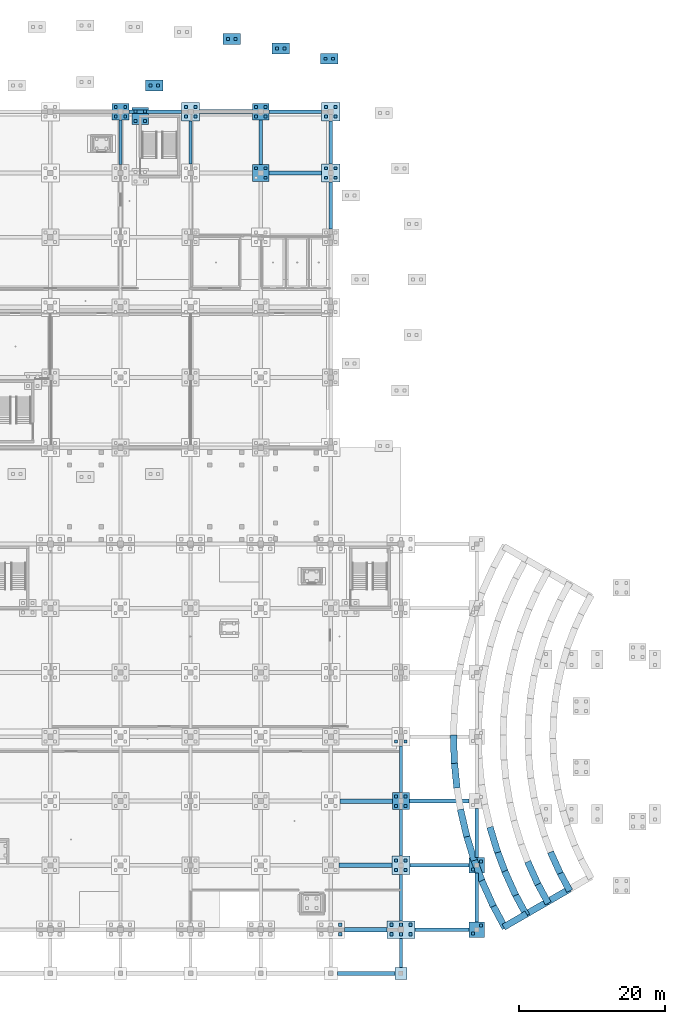
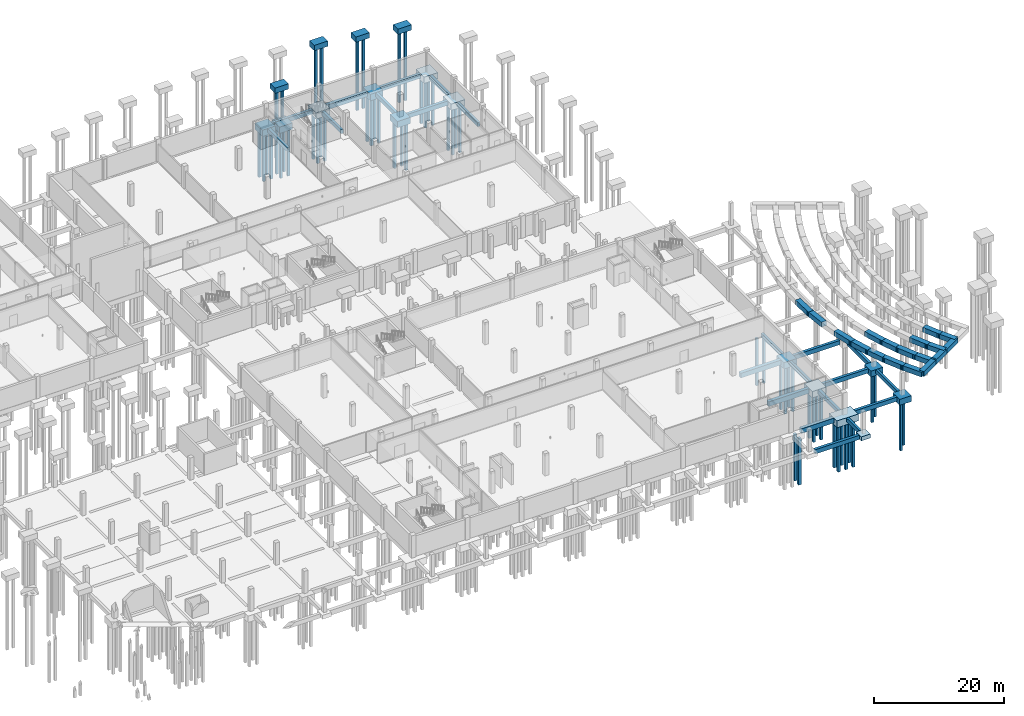
# One storey, part 8 of 31: 57 footings, 57 piles.
"""IFC4 building model written with IfcOpenShell, lengths in metres."""

import ifcopenshell
import ifcopenshell.guid

model = None  # the IFC model being written
_history = None  # IfcOwnerHistory: only IFC2X3 demands one
_inside = {}  # id of a spatial element -> (the spatial element, [elements in it])
_under = {}  # id of a project, library or spatial element -> (it, [spatial elements below it])
_declared = {}  # id of a project -> (the project, [libraries it declares])
_typed = {}  # id of a type object -> (the type object, [elements of that type])
_made_of = {}  # id of a material, layer set ... -> (it, [elements and type objects made of it])


def new_model(schema):
    """Start an empty IFC model of exactly this schema.

    Asked for "IFC4X3", IfcOpenShell would pick the latest addendum, in which some entities
    have other attributes; the version numbers below select the first issue.
    IFC2X3 requires an IfcOwnerHistory on every rooted entity: one is made here for all.
    """
    global model, _history
    if schema == "IFC4X3":
        model = ifcopenshell.file(schema_version=(4, 3, 0, 0))
    else:
        model = ifcopenshell.file(schema=schema)
    _inside.clear()
    _under.clear()
    _declared.clear()
    _typed.clear()
    _made_of.clear()
    _history = None
    if model.schema == "IFC2X3":
        org = make("IfcOrganization", Name="unknown")
        user = make(
            "IfcPersonAndOrganization",
            ThePerson=make("IfcPerson", FamilyName="unknown"),
            TheOrganization=org,
        )
        app = make(
            "IfcApplication",
            ApplicationDeveloper=org,
            Version="unknown",
            ApplicationFullName="unknown",
            ApplicationIdentifier="unknown",
        )
        _history = make(
            "IfcOwnerHistory",
            OwningUser=user,
            OwningApplication=app,
            ChangeAction="ADDED",
            CreationDate=0,
        )
    return model


def make(cls, **values):
    """One entity of the class cls with the attributes given. An attribute that is None is left unset."""
    return model.create_entity(
        cls, **{name: value for name, value in values.items() if value is not None}
    )


def rooted(cls, **values):
    """An entity with a GlobalId (a new one), such as an element, a storey or a relation."""
    return make(cls, GlobalId=ifcopenshell.guid.new(), OwnerHistory=_history, **values)


def si_unit(unit_type, name, prefix=None):
    """IfcSIUnit, for example si_unit("LENGTHUNIT", "METRE", prefix="MILLI")."""
    return make("IfcSIUnit", UnitType=unit_type, Prefix=prefix, Name=name)


def assignment(units):
    """IfcUnitAssignment: the units of a project."""
    return None if units is None else make("IfcUnitAssignment", Units=units)


def point(xyz):
    """IfcCartesianPoint."""
    return None if xyz is None else make("IfcCartesianPoint", Coordinates=xyz)


def direction(xyz):
    """IfcDirection."""
    return None if xyz is None else make("IfcDirection", DirectionRatios=xyz)


def frame(location, z_axis=None, x_axis=None):
    """IfcAxis2Placement3D, a coordinate frame: its origin and axes. An axis left out is left unset."""
    return make(
        "IfcAxis2Placement3D",
        Location=point(location),
        Axis=direction(z_axis),
        RefDirection=direction(x_axis),
    )


def frame_2d(location, x_axis=None):
    """IfcAxis2Placement2D, a coordinate frame in the plane: its origin and x axis."""
    return make(
        "IfcAxis2Placement2D", Location=point(location), RefDirection=direction(x_axis)
    )


def origin():
    """The frame at (0, 0, 0) with its axes left unset."""
    return frame((0.0, 0.0, 0.0))


def origin_2d():
    """The frame at (0, 0) in the plane with its x axis left unset."""
    return frame_2d((0.0, 0.0))


def place(relative_to, where):
    """IfcLocalPlacement: puts the frame where relative to a parent placement (None: the world)."""
    return make(
        "IfcLocalPlacement", PlacementRelTo=relative_to, RelativePlacement=where
    )


def context(
    kind, dimensions, precision=None, world=None, true_north=None, identifier=None
):
    """IfcGeometricRepresentationContext, for example the 3D "Model" context."""
    return make(
        "IfcGeometricRepresentationContext",
        ContextIdentifier=identifier,
        ContextType=kind,
        CoordinateSpaceDimension=dimensions,
        Precision=precision,
        WorldCoordinateSystem=world,
        TrueNorth=true_north,
    )


def subcontext(parent, identifier, kind, view, scale=None):
    """IfcGeometricRepresentationSubContext, for example "Body" below "Model"."""
    return make(
        "IfcGeometricRepresentationSubContext",
        ContextIdentifier=identifier,
        ContextType=kind,
        ParentContext=parent,
        TargetScale=scale,
        TargetView=view,
    )


def project(units=None, contexts=None):
    """IfcProject with its units and contexts."""
    return rooted(
        "IfcProject",
        Name="project",
        RepresentationContexts=contexts,
        UnitsInContext=assignment(units),
    )


def spatial(cls, under=None, at=None, **own):
    """A site, building, storey or space (cls), placed at a placement, below another one or the project."""
    s = rooted(cls, ObjectPlacement=at, **own)
    if under is not None:
        _under.setdefault(under.id(), (under, []))[1].append(s)
    return s


def profile(cls, at=None, kind="AREA", **sizes):
    """A parametric profile (cls). Its sizes go by their IFC names, for example OverallWidth=200.0."""
    return make(cls, ProfileType=kind, Position=at, **sizes)


def rectangle(**sizes):
    """IfcRectangleProfileDef."""
    return profile("IfcRectangleProfileDef", **sizes)


def extrude(swept, where, along, depth):
    """IfcExtrudedAreaSolid: the profile swept, set in the frame where, extruded along a direction by depth."""
    return make(
        "IfcExtrudedAreaSolid",
        SweptArea=swept,
        Position=where,
        ExtrudedDirection=direction(along),
        Depth=depth,
    )


def shape(context_of_items, identifier, shape_type, items):
    """IfcShapeRepresentation: the items that make up one representation, for example the "Body"."""
    return make(
        "IfcShapeRepresentation",
        ContextOfItems=context_of_items,
        RepresentationIdentifier=identifier,
        RepresentationType=shape_type,
        Items=items,
    )


def material(Name=None, Category=None):
    """IfcMaterial."""
    return make("IfcMaterial", Name=Name, Category=Category)


def layer(
    of_material, thickness, ventilated=None, Name=None, Category=None, Priority=None
):
    """IfcMaterialLayer: one layer of a wall or slab, of a material (None: an air gap)."""
    return make(
        "IfcMaterialLayer",
        Material=of_material,
        LayerThickness=thickness,
        IsVentilated=ventilated,
        Name=Name,
        Category=Category,
        Priority=Priority,
    )


def layer_set(layers, Name=None):
    """IfcMaterialLayerSet."""
    return make("IfcMaterialLayerSet", MaterialLayers=layers, LayerSetName=Name)


def material_profile(
    of_material, cross_section, Name=None, Category=None, Priority=None
):
    """IfcMaterialProfile: a cross section and its material."""
    return make(
        "IfcMaterialProfile",
        Name=Name,
        Material=of_material,
        Profile=cross_section,
        Priority=Priority,
        Category=Category,
    )


def profile_set(profiles, Name=None, composite=None):
    """IfcMaterialProfileSet."""
    return make(
        "IfcMaterialProfileSet",
        Name=Name,
        MaterialProfiles=profiles,
        CompositeProfile=composite,
    )


def made_of(thing, what):
    """Note that an element or type object is made of a material, layer set ...; save() writes the relation."""
    if what is not None:
        _made_of.setdefault(what.id(), (what, []))[1].append(thing)
    return thing


def type_object(cls, material=None, **own):
    """A type object (cls), such as IfcWallType, which elements share."""
    return made_of(rooted(cls, **own), material)


def element(
    cls,
    number,
    at=None,
    inside=None,
    cuts=None,
    type_object=None,
    material=None,
    context=None,
    identifier="Body",
    shape_type=None,
    held_by="IfcProductDefinitionShape",
    body=None,
    shapes=None,
    **own,
):
    """One element of the class cls, such as IfcWall. Its Tag is "e" and its number.

    at: its placement. inside: the storey or other place that contains it. cuts: it is an
    opening in that element (IfcRelVoidsElement). A single representation is given by context,
    identifier, shape_type and body (its items); several are given by shapes. held_by: the class
    of the entity that holds the representations. save() writes the other relations.
    """
    e = rooted(cls, Tag="e%d" % number, ObjectPlacement=at, **own)
    if body is not None:
        shapes = [shape(context, identifier, shape_type, body)]
    if shapes is not None:
        e.Representation = make(held_by, Representations=shapes)
    if inside is not None:
        _inside.setdefault(inside.id(), (inside, []))[1].append(e)
    if cuts is not None:
        rooted(
            "IfcRelVoidsElement", RelatingBuildingElement=cuts, RelatedOpeningElement=e
        )
    if type_object is not None:
        _typed.setdefault(type_object.id(), (type_object, []))[1].append(e)
    return made_of(e, material)


def aggregate(whole, parts):
    """IfcRelAggregates: a whole, such as a stair, and the parts it consists of."""
    return rooted("IfcRelAggregates", RelatingObject=whole, RelatedObjects=parts)


def save(model, path):
    """Write the relations noted so far, then the file.

    IfcRelAggregates (storeys below a building ...), IfcRelContainedInSpatialStructure (elements
    in a storey), IfcRelDefinesByType, IfcRelAssociatesMaterial and IfcRelDeclares: one each for
    every whole, place, type object, material and project.
    """
    for whole, parts in _under.values():
        aggregate(whole, parts)
    for where, things in _inside.values():
        rooted(
            "IfcRelContainedInSpatialStructure",
            RelatedElements=things,
            RelatingStructure=where,
        )
    for kind, things in _typed.values():
        rooted("IfcRelDefinesByType", RelatedObjects=things, RelatingType=kind)
    for what, things in _made_of.values():
        rooted("IfcRelAssociatesMaterial", RelatedObjects=things, RelatingMaterial=what)
    for by, libraries in _declared.values():
        rooted("IfcRelDeclares", RelatingContext=by, RelatedDefinitions=libraries)
    model.write(path)


model = new_model("IFC4")

# Units and contexts
model_context = context("Model", 3, precision=1e-05, world=origin(), true_north=direction((0.0, 1.0)))
body_context = subcontext(model_context, "Body", "Model", "MODEL_VIEW")
ifc_project = project(units=[si_unit("LENGTHUNIT", "METRE"), si_unit("AREAUNIT", "SQUARE_METRE"), si_unit("VOLUMEUNIT", "CUBIC_METRE"), si_unit("PLANEANGLEUNIT", "RADIAN"), si_unit("MASSUNIT", "GRAM", prefix="KILO")], contexts=[model_context])

# Site, building, storey
site_placement = place(None, origin())
site = spatial("IfcSite", under=ifc_project, at=site_placement, CompositionType="ELEMENT")
building_placement = place(site_placement, origin())
building = spatial("IfcBuilding", under=site, at=building_placement, Name="Chalmorin Arch Market", CompositionType="ELEMENT")
storey_placement = place(building_placement, frame((0.0, 0.0, -4.199951171875)))
storey = spatial("IfcBuildingStorey", under=building, at=storey_placement, Name="B1", CompositionType="ELEMENT", Elevation=-4.199951171875)

# Piles
ifc_material_1 = material(Name="Precast concrete C50/60", Category="concrete")
ifc_material_profile_1 = material_profile(ifc_material_1, rectangle(XDim=0.406005859375, YDim=0.406005859375, at=origin_2d()), Name="PPC406")
ifc_profile_set_1 = profile_set([ifc_material_profile_1], Name="Precast concrete C50/60")
pile_type_1 = type_object("IfcPileType", Name="DrivenSquarePile-406", PredefinedType="DRIVEN", material=ifc_profile_set_1)
for number, where, z_axis, x_axis, name in (
    (1, (85.75, 117.35009765625, -1.10009765625), (0.0, 0.0, -1.0), (1.0, 0.0, 0.0), "P-406-517"),
    (2, (87.050048828125, 117.35009765625, -1.10009765625), (0.0, 0.0, -1.0), (1.0, 0.0, 0.0), "P-406-518"),
    (3, (85.75, 118.64990234375, -1.10009765625), (0.0, 0.0, -1.0), (1.0, 0.0, 0.0), "P-406-519"),
    (4, (87.050048828125, 118.64990234375, -1.10009765625), (0.0, 0.0, -1.0), (1.0, 0.0, 0.0), "P-406-520"),
    (5, (95.35009765625, 117.35009765625, -1.10009765625), (0.0, 0.0, -1.0), (1.0, 0.0, 0.0), "P-406-573"),
    (6, (96.64990234375, 117.35009765625, -1.10009765625), (0.0, 0.0, -1.0), (1.0, 0.0, 0.0), "P-406-574"),
    (7, (95.35009765625, 118.64990234375, -1.10009765625), (0.0, 0.0, -1.0), (1.0, 0.0, 0.0), "P-406-575"),
    (8, (96.64990234375, 118.64990234375, -1.10009765625), (0.0, 0.0, -1.0), (1.0, 0.0, 0.0), "P-406-576"),
    (9, (106.25, 108.949951171875, -1.10009765625), (0.0, 0.0, -1.0), (1.0, 0.0, 0.0), "P-406-626"),
    (10, (104.949951171875, 110.25, -1.10009765625), (0.0, 0.0, -1.0), (1.0, 0.0, 0.0), "P-406-627"),
    (11, (106.25, 110.25, -1.10009765625), (0.0, 0.0, -1.0), (1.0, 0.0, 0.0), "P-406-628"),
    (12, (104.949951171875, 117.35009765625, -1.10009765625), (0.0, 0.0, -1.0), (1.0, 0.0, 0.0), "P-406-629"),
    (13, (106.25, 117.35009765625, -1.10009765625), (0.0, 0.0, -1.0), (1.0, 0.0, 0.0), "P-406-630"),
    (14, (104.949951171875, 118.64990234375, -1.10009765625), (0.0, 0.0, -1.0), (1.0, 0.0, 0.0), "P-406-631"),
    (15, (106.25, 118.64990234375, -1.10009765625), (0.0, 0.0, -1.0), (1.0, 0.0, 0.0), "P-406-632"),
    (16, (114.550048828125, 108.949951171875, -1.10009765625), (0.0, 0.0, -1.0), (1.0, 0.0, 0.0), "P-406-681"),
    (17, (115.85009765625, 108.949951171875, -1.10009765625), (0.0, 0.0, -1.0), (1.0, 0.0, 0.0), "P-406-682"),
    (18, (114.550048828125, 110.25, -1.10009765625), (0.0, 0.0, -1.0), (1.0, 0.0, 0.0), "P-406-683"),
    (19, (115.85009765625, 110.25, -1.10009765625), (0.0, 0.0, -1.0), (1.0, 0.0, 0.0), "P-406-684"),
    (20, (114.550048828125, 117.35009765625, -1.10009765625), (0.0, 0.0, -1.0), (1.0, 0.0, 0.0), "P-406-685"),
    (21, (115.85009765625, 117.35009765625, -1.10009765625), (0.0, 0.0, -1.0), (1.0, 0.0, 0.0), "P-406-686"),
    (22, (114.550048828125, 118.64990234375, -1.10009765625), (0.0, 0.0, -1.0), (1.0, 0.0, 0.0), "P-406-687"),
    (23, (115.85009765625, 118.64990234375, -1.10009765625), (0.0, 0.0, -1.0), (1.0, 0.0, 0.0), "P-406-688"),
    (24, (124.14990234375, 14.14990234375, -1.10009765625), (0.0, 0.0, -1.0), (1.0, 0.0, 0.0), "P-406-695"),
    (25, (125.449951171875, 14.14990234375, -1.10009765625), (0.0, 0.0, -1.0), (1.0, 0.0, 0.0), "P-406-696"),
    (26, (124.14990234375, 15.449951171875, -1.10009765625), (0.0, 0.0, -1.0), (1.0, 0.0, 0.0), "P-406-697"),
    (27, (125.449951171875, 15.449951171875, -1.10009765625), (0.0, 0.0, -1.0), (1.0, 0.0, 0.0), "P-406-698"),
    (28, (124.14990234375, 22.949951171875, -1.10009765625), (0.0, 0.0, -1.0), (1.0, 0.0, 0.0), "P-406-699"),
    (29, (125.449951171875, 22.949951171875, -1.10009765625), (0.0, 0.0, -1.0), (1.0, 0.0, 0.0), "P-406-700"),
    (30, (124.14990234375, 24.25, -1.10009765625), (0.0, 0.0, -1.0), (1.0, 0.0, 0.0), "P-406-701"),
    (31, (125.449951171875, 24.25, -1.10009765625), (0.0, 0.0, -1.0), (1.0, 0.0, 0.0), "P-406-702"),
    (32, (124.14990234375, 31.75, -1.10009765625), (0.0, 0.0, -1.0), (1.0, 0.0, 0.0), "P-406-703"),
    (33, (125.449951171875, 31.75, -1.10009765625), (0.0, 0.0, -1.0), (1.0, 0.0, 0.0), "P-406-704"),
):
    element("IfcPile", number, at=place(storey_placement, frame(where, z_axis=z_axis, x_axis=x_axis)), inside=storey, type_object=pile_type_1, Name=name, PredefinedType="DRIVEN", context=body_context, shape_type="SweptSolid", body=[
        extrude(rectangle(XDim=0.406005859375, YDim=0.406005859375, at=origin_2d()), origin(), (0.0, 0.0, 1.0), 8.89990234375),
    ])
for number, where, z_axis, x_axis, name in (
    (34, (134.64990234375, 5.449951171875, -1.0), (0.0, 0.0, -1.0), (1.0, 0.0, 0.0), "P-406-721"),
    (35, (135.75, 6.550048828125, -1.0), (0.0, 0.0, -1.0), (1.0, 0.0, 0.0), "P-406-722"),
    (36, (134.64990234375, 14.25, -1.0), (0.0, 0.0, -1.0), (1.0, 0.0, 0.0), "P-406-723"),
    (37, (135.75, 15.35009765625, -1.0), (0.0, 0.0, -1.0), (1.0, 0.0, 0.0), "P-406-724"),
):
    element("IfcPile", number, at=place(storey_placement, frame(where, z_axis=z_axis, x_axis=x_axis)), inside=storey, type_object=pile_type_1, Name=name, PredefinedType="DRIVEN", context=body_context, shape_type="SweptSolid", body=[
        extrude(rectangle(XDim=0.406005859375, YDim=0.406005859375, at=origin_2d()), origin(), (0.0, 0.0, 1.0), 9.0),
    ])
for number, where, z_axis, x_axis, name in (
    (38, (90.488037109375, 121.612060546875, 2.97998046875), (0.0, 0.0, -1.0), (1.0, 0.0, 0.0), "P-406-815"),
    (39, (91.528076171875, 121.612060546875, 2.97998046875), (0.0, 0.0, -1.0), (1.0, 0.0, 0.0), "P-406-816"),
):
    element("IfcPile", number, at=place(storey_placement, frame(where, z_axis=z_axis, x_axis=x_axis)), inside=storey, type_object=pile_type_1, Name=name, PredefinedType="DRIVEN", context=body_context, shape_type="SweptSolid", body=[
        extrude(rectangle(XDim=0.406005859375, YDim=0.406005859375, at=origin_2d()), origin(), (0.0, 0.0, 1.0), 12.97998046875),
    ])
for number, where, z_axis, x_axis, name in (
    (40, (101.1201171875, 127.925048828125, 3.47998046875), (0.0, 0.0, -1.0), (1.0, 0.0, 0.0), "P-406-859"),
    (41, (102.159912109375, 127.925048828125, 3.47998046875), (0.0, 0.0, -1.0), (1.0, 0.0, 0.0), "P-406-860"),
    (42, (107.800048828125, 126.654052734375, 3.47998046875), (0.0, 0.0, -1.0), (1.0, 0.0, 0.0), "P-406-861"),
    (43, (108.840087890625, 126.654052734375, 3.47998046875), (0.0, 0.0, -1.0), (1.0, 0.0, 0.0), "P-406-862"),
    (44, (114.47998046875, 125.242919921875, 3.47998046875), (0.0, 0.0, -1.0), (1.0, 0.0, 0.0), "P-406-863"),
    (45, (115.52001953125, 125.242919921875, 3.47998046875), (0.0, 0.0, -1.0), (1.0, 0.0, 0.0), "P-406-864"),
):
    element("IfcPile", number, at=place(storey_placement, frame(where, z_axis=z_axis, x_axis=x_axis)), inside=storey, type_object=pile_type_1, Name=name, PredefinedType="DRIVEN", context=body_context, shape_type="SweptSolid", body=[
        extrude(rectangle(XDim=0.406005859375, YDim=0.406005859375, at=origin_2d()), origin(), (0.0, 0.0, 1.0), 13.47998046875),
    ])
for number, where, z_axis, x_axis, name in (
    (46, (88.449951171875, 116.75, -1.10009765625), (0.0, 0.0, -1.0), (1.0, 0.0, 0.0), "P-406-945"),
    (47, (89.75, 116.75, -1.10009765625), (0.0, 0.0, -1.0), (1.0, 0.0, 0.0), "P-406-946"),
    (48, (88.449951171875, 118.050048828125, -1.10009765625), (0.0, 0.0, -1.0), (1.0, 0.0, 0.0), "P-406-947"),
    (49, (89.75, 118.050048828125, -1.10009765625), (0.0, 0.0, -1.0), (1.0, 0.0, 0.0), "P-406-948"),
):
    element("IfcPile", number, at=place(storey_placement, frame(where, z_axis=z_axis, x_axis=x_axis)), inside=storey, type_object=pile_type_1, Name=name, PredefinedType="DRIVEN", context=body_context, shape_type="SweptSolid", body=[
        extrude(rectangle(XDim=0.406005859375, YDim=0.406005859375, at=origin_2d()), origin(), (0.0, 0.0, 1.0), 8.89990234375),
    ])
ifc_material_profile_2 = material_profile(ifc_material_1, rectangle(XDim=0.45703125, YDim=0.45703125, at=origin_2d()), Name="PPC457")
ifc_profile_set_2 = profile_set([ifc_material_profile_2], Name="Precast concrete C50/60")
pile_type_2 = type_object("IfcPileType", Name="DrivenSquarePile-457", PredefinedType="DRIVEN", material=ifc_profile_set_2)
for number, where, z_axis, x_axis, name in (
    (50, (116.5, 5.35009765625, -1.199951171875), (0.0, 0.0, -1.0), (1.0, 0.0, 0.0), "P-457-635"),
    (51, (116.5, 6.64990234375, -1.199951171875), (0.0, 0.0, -1.0), (1.0, 0.0, 0.0), "P-457-638"),
    (52, (123.5, 5.35009765625, -1.199951171875), (0.0, 0.0, -1.0), (1.0, 0.0, 0.0), "P-457-689"),
    (53, (124.800048828125, 5.35009765625, -1.199951171875), (0.0, 0.0, -1.0), (1.0, 0.0, 0.0), "P-457-690"),
    (54, (126.10009765625, 5.35009765625, -1.199951171875), (0.0, 0.0, -1.0), (1.0, 0.0, 0.0), "P-457-691"),
    (55, (123.5, 6.64990234375, -1.199951171875), (0.0, 0.0, -1.0), (1.0, 0.0, 0.0), "P-457-692"),
    (56, (124.800048828125, 6.64990234375, -1.199951171875), (0.0, 0.0, -1.0), (1.0, 0.0, 0.0), "P-457-693"),
    (57, (126.10009765625, 6.64990234375, -1.199951171875), (0.0, 0.0, -1.0), (1.0, 0.0, 0.0), "P-457-694"),
):
    element("IfcPile", number, at=place(storey_placement, frame(where, z_axis=z_axis, x_axis=x_axis)), inside=storey, type_object=pile_type_2, Name=name, PredefinedType="DRIVEN", context=body_context, shape_type="SweptSolid", body=[
        extrude(rectangle(XDim=0.45703125, YDim=0.45703125, at=origin_2d()), origin(), (0.0, 0.0, 1.0), 8.800048828125),
    ])

# Footings
ifc_material_2 = material(Name="Concrete C40/50", Category="concrete")
ifc_layer_1 = layer(ifc_material_2, 0.75)
ifc_layer_set_1 = layer_set([ifc_layer_1], Name="Concrete C40/50")
footing_type_1 = type_object("IfcFootingType", Name="FoundationTieBeam-450x750-L4000", PredefinedType="FOOTING_BEAM", material=ifc_layer_set_1)
footing_1_placement = place(storey_placement, frame((124.800048828125, 2.800048828125, -0.75), z_axis=(0.0, 0.0, 1.0), x_axis=(0.0, 1.0, 0.0)))
element("IfcFooting", 58, at=footing_1_placement, inside=storey, type_object=footing_type_1, Name="FTB-03-337", PredefinedType="FOOTING_BEAM", context=body_context, shape_type="SweptSolid", body=[
    extrude(rectangle(XDim=4.0, YDim=0.449951171875, at=origin_2d()), origin(), (0.0, 0.0, 1.0), 0.75),
])
ifc_layer_2 = layer(ifc_material_2, 0.75)
ifc_layer_set_2 = layer_set([ifc_layer_2], Name="Concrete C40/50")
footing_type_2 = type_object("IfcFootingType", Name="FoundationTieBeam-450x750-L5900", PredefinedType="FOOTING_BEAM", material=ifc_layer_set_2)
for number, where, z_axis, x_axis, name in (
    (59, (96.0, 113.800048828125, -0.75), (0.0, 0.0, 1.0), (0.0, 1.0, 0.0), "FTB-03-310"),
    (60, (115.199951171875, 113.800048828125, -0.75), (0.0, 0.0, 1.0), (0.0, 1.0, 0.0), "FTB-03-336"),
):
    element("IfcFooting", number, at=place(storey_placement, frame(where, z_axis=z_axis, x_axis=x_axis)), inside=storey, type_object=footing_type_2, Name=name, PredefinedType="FOOTING_BEAM", context=body_context, shape_type="SweptSolid", body=[
        extrude(rectangle(XDim=5.89990234375, YDim=0.449951171875, at=origin_2d()), origin(), (0.0, 0.0, 1.0), 0.75),
    ])
ifc_layer_3 = layer(ifc_material_2, 0.75)
ifc_layer_set_3 = layer_set([ifc_layer_3], Name="Concrete C40/50")
footing_type_3 = type_object("IfcFootingType", Name="FoundationTieBeam-450x750-L6100", PredefinedType="FOOTING_BEAM", material=ifc_layer_set_3)
for number, where, z_axis, x_axis, name in (
    (61, (86.39990234375, 113.800048828125, -0.75), (0.0, 0.0, 1.0), (0.0, 1.0, 0.0), "FTB-03-297"),
    (62, (105.60009765625, 113.800048828125, -0.75), (0.0, 0.0, 1.0), (0.0, 1.0, 0.0), "FTB-03-323"),
):
    element("IfcFooting", number, at=place(storey_placement, frame(where, z_axis=z_axis, x_axis=x_axis)), inside=storey, type_object=footing_type_3, Name=name, PredefinedType="FOOTING_BEAM", context=body_context, shape_type="SweptSolid", body=[
        extrude(rectangle(XDim=6.10009765625, YDim=0.449951171875, at=origin_2d()), origin(), (0.0, 0.0, 1.0), 0.75),
    ])
ifc_layer_4 = layer(ifc_material_2, 0.75)
ifc_layer_set_4 = layer_set([ifc_layer_4], Name="Concrete C40/50")
footing_type_4 = type_object("IfcFootingType", Name="FoundationTieBeam-450x750-L6350", PredefinedType="FOOTING_BEAM", material=ifc_layer_set_4)
footing_2_placement = place(storey_placement, frame((124.800048828125, 10.375, -0.75), z_axis=(0.0, 0.0, 1.0), x_axis=(0.0, 1.0, 0.0)))
element("IfcFooting", 63, at=footing_2_placement, inside=storey, type_object=footing_type_4, Name="FTB-03-338", PredefinedType="FOOTING_BEAM", context=body_context, shape_type="SweptSolid", body=[
    extrude(rectangle(XDim=6.35009765625, YDim=0.449951171875, at=origin_2d()), origin(), (0.0, 0.0, 1.0), 0.75),
])
ifc_layer_5 = layer(ifc_material_2, 0.75)
ifc_layer_set_5 = layer_set([ifc_layer_5], Name="Concrete C40/50")
footing_type_5 = type_object("IfcFootingType", Name="FoundationTieBeam-450x750-L6400", PredefinedType="FOOTING_BEAM", material=ifc_layer_set_5)
for number, where, z_axis, x_axis, name in (
    (64, (115.199951171875, 105.14990234375, -0.75), (0.0, 0.0, 1.0), (0.0, 1.0, 0.0), "FTB-03-335"),
    (65, (124.800048828125, 19.25, -0.75), (0.0, 0.0, 1.0), (0.0, 1.0, 0.0), "FTB-03-339"),
    (66, (124.800048828125, 27.949951171875, -0.75), (0.0, 0.0, 1.0), (0.0, 1.0, 0.0), "FTB-03-340"),
):
    element("IfcFooting", number, at=place(storey_placement, frame(where, z_axis=z_axis, x_axis=x_axis)), inside=storey, type_object=footing_type_5, Name=name, PredefinedType="FOOTING_BEAM", context=body_context, shape_type="SweptSolid", body=[
        extrude(rectangle(XDim=6.39990234375, YDim=0.449951171875, at=origin_2d()), origin(), (0.0, 0.0, 1.0), 0.75),
    ])
ifc_layer_6 = layer(ifc_material_2, 0.75)
ifc_layer_set_6 = layer_set([ifc_layer_6], Name="Concrete C40/50")
footing_type_6 = type_object("IfcFootingType", Name="FoundationTieBeam-450x750-L6700", PredefinedType="FOOTING_BEAM", material=ifc_layer_set_6)
for number, where, z_axis, x_axis, name in (
    (67, (135.199951171875, 10.39990234375, -0.75), (0.0, 0.0, 1.0), (0.0, 1.0, 0.0), "FTB-03-344"),
    (68, (135.199951171875, 19.199951171875, -0.75), (0.0, 0.0, 1.0), (0.0, 1.0, 0.0), "FTB-03-345"),
):
    element("IfcFooting", number, at=place(storey_placement, frame(where, z_axis=z_axis, x_axis=x_axis)), inside=storey, type_object=footing_type_6, Name=name, PredefinedType="FOOTING_BEAM", context=body_context, shape_type="SweptSolid", body=[
        extrude(rectangle(XDim=6.699951171875, YDim=0.449951171875, at=origin_2d()), origin(), (0.0, 0.0, 1.0), 0.75),
    ])
ifc_layer_7 = layer(ifc_material_2, 0.800048828125)
ifc_layer_set_7 = layer_set([ifc_layer_7], Name="Concrete C40/50")
footing_type_7 = type_object("IfcFootingType", Name="FoundationTieBeam-500x800-L7200", PredefinedType="FOOTING_BEAM", material=ifc_layer_set_7)
for number, where, z_axis, x_axis, name in (
    (69, (110.35009765625, 109.60009765625, -0.80029296875), (0.0, 0.0, 1.0), (1.0, 0.0, 0.0), "FTB-02-165"),
    (70, (91.14990234375, 118.0, -0.80029296875), (0.0, 0.0, 1.0), (1.0, 0.0, 0.0), "FTB-02-175"),
    (71, (110.35009765625, 118.0, -0.80029296875), (0.0, 0.0, 1.0), (1.0, 0.0, 0.0), "FTB-02-177"),
):
    element("IfcFooting", number, at=place(storey_placement, frame(where, z_axis=z_axis, x_axis=x_axis)), inside=storey, type_object=footing_type_7, Name=name, PredefinedType="FOOTING_BEAM", context=body_context, shape_type="SweptSolid", body=[
        extrude(rectangle(XDim=7.199951171875, YDim=0.5, at=origin_2d()), origin(), (0.0, 0.0, 1.0), 0.800048828125),
    ])
ifc_layer_8 = layer(ifc_material_2, 0.800048828125)
ifc_layer_set_8 = layer_set([ifc_layer_8], Name="Concrete C40/50")
footing_type_8 = type_object("IfcFootingType", Name="FoundationTieBeam-500x800-L7450", PredefinedType="FOOTING_BEAM", material=ifc_layer_set_8)
footing_3_placement = place(storey_placement, frame((130.425048828125, 6.0, -0.80029296875), z_axis=(0.0, 0.0, 1.0), x_axis=(1.0, 0.0, 0.0)))
element("IfcFooting", 72, at=footing_3_placement, inside=storey, type_object=footing_type_8, Name="FTB-02-027", PredefinedType="FOOTING_BEAM", context=body_context, shape_type="SweptSolid", body=[
    extrude(rectangle(XDim=7.449951171875, YDim=0.5, at=origin_2d()), origin(), (0.0, 0.0, 1.0), 0.800048828125),
])
ifc_layer_9 = layer(ifc_material_2, 0.800048828125)
ifc_layer_set_9 = layer_set([ifc_layer_9], Name="Concrete C40/50")
footing_type_9 = type_object("IfcFootingType", Name="FoundationTieBeam-500x800-L7900", PredefinedType="FOOTING_BEAM", material=ifc_layer_set_9)
footing_4_placement = place(storey_placement, frame((120.050048828125, 0.0, -0.80029296875), z_axis=(0.0, 0.0, 1.0), x_axis=(1.0, 0.0, 0.0)))
element("IfcFooting", 73, at=footing_4_placement, inside=storey, type_object=footing_type_9, Name="FTB-02-013", PredefinedType="FOOTING_BEAM", context=body_context, shape_type="SweptSolid", body=[
    extrude(rectangle(XDim=7.89990234375, YDim=0.5, at=origin_2d()), origin(), (0.0, 0.0, 1.0), 0.800048828125),
])
ifc_layer_10 = layer(ifc_material_2, 0.800048828125)
ifc_layer_set_10 = layer_set([ifc_layer_10], Name="Concrete C40/50")
footing_type_10 = type_object("IfcFootingType", Name="FoundationTieBeam-500x800-L8100", PredefinedType="FOOTING_BEAM", material=ifc_layer_set_10)
footing_5_placement = place(storey_placement, frame((130.10009765625, 14.800048828125, -0.80029296875), z_axis=(0.0, 0.0, 1.0), x_axis=(1.0, 0.0, 0.0)))
element("IfcFooting", 74, at=footing_5_placement, inside=storey, type_object=footing_type_10, Name="FTB-02-041", PredefinedType="FOOTING_BEAM", context=body_context, shape_type="SweptSolid", body=[
    extrude(rectangle(XDim=8.10009765625, YDim=0.5, at=origin_2d()), origin(), (0.0, 0.0, 1.0), 0.800048828125),
])
ifc_layer_11 = layer(ifc_material_2, 0.800048828125)
ifc_layer_set_11 = layer_set([ifc_layer_11], Name="Concrete C40/50")
footing_type_11 = type_object("IfcFootingType", Name="FoundationTieBeam-500x800-L8200", PredefinedType="FOOTING_BEAM", material=ifc_layer_set_11)
footing_6_placement = place(storey_placement, frame((130.050048828125, 23.60009765625, -0.80029296875), z_axis=(0.0, 0.0, 1.0), x_axis=(1.0, 0.0, 0.0)))
element("IfcFooting", 75, at=footing_6_placement, inside=storey, type_object=footing_type_11, Name="FTB-02-055", PredefinedType="FOOTING_BEAM", context=body_context, shape_type="SweptSolid", body=[
    extrude(rectangle(XDim=8.199951171875, YDim=0.5, at=origin_2d()), origin(), (0.0, 0.0, 1.0), 0.800048828125),
])
ifc_layer_12 = layer(ifc_material_2, 0.89990234375)
ifc_layer_set_12 = layer_set([ifc_layer_12], Name="Concrete C40/50")
footing_type_12 = type_object("IfcFootingType", Name="FoundationTieBeam-600x900", PredefinedType="FOOTING_BEAM", material=ifc_layer_set_12)
footing_7_placement = place(storey_placement, frame((145.946533203125, 15.157958984375, 2.0), z_axis=(0.0, 0.0, 1.0), x_axis=(0.412627540369, -0.910899836935, 0.0)))
element("IfcFooting", 76, at=footing_7_placement, inside=storey, type_object=footing_type_12, Name="FTB-A215", PredefinedType="FOOTING_BEAM", context=body_context, shape_type="SweptSolid", body=[
    extrude(rectangle(XDim=3.185791015625, YDim=0.89990234375, at=origin_2d()), origin(), (0.0, 0.0, 1.0), 0.89990234375),
])
footing_8_placement = place(storey_placement, frame((147.155517578125, 12.7060546875, 2.0), z_axis=(0.0, 0.0, 1.0), x_axis=(0.471319772882, -0.881962398116, 0.0)))
element("IfcFooting", 77, at=footing_8_placement, inside=storey, type_object=footing_type_12, Name="FTB-A216", PredefinedType="FOOTING_BEAM", context=body_context, shape_type="SweptSolid", body=[
    extrude(rectangle(XDim=3.184814453125, YDim=0.89990234375, at=origin_2d()), origin(), (0.0, 0.0, 1.0), 0.89990234375),
])
footing_9_placement = place(storey_placement, frame((142.85107421875, 13.756103515625, 2.0), z_axis=(0.0, 0.0, 1.0), x_axis=(0.412468552072, -0.910971840153, 0.0)))
element("IfcFooting", 78, at=footing_9_placement, inside=storey, type_object=footing_type_12, Name="FTB-A315", PredefinedType="FOOTING_BEAM", context=body_context, shape_type="SweptSolid", body=[
    extrude(rectangle(XDim=3.407470703125, YDim=0.89990234375, at=origin_2d()), origin(), (0.0, 0.0, 1.0), 0.89990234375),
])
footing_10_placement = place(storey_placement, frame((144.158447265625, 11.1044921875, 2.0), z_axis=(0.0, 0.0, 1.0), x_axis=(0.47147369718, -0.881880123865, 0.0)))
element("IfcFooting", 79, at=footing_10_placement, inside=storey, type_object=footing_type_12, Name="FTB-A316", PredefinedType="FOOTING_BEAM", context=body_context, shape_type="SweptSolid", body=[
    extrude(rectangle(XDim=3.408447265625, YDim=0.89990234375, at=origin_2d()), origin(), (0.0, 0.0, 1.0), 0.89990234375),
])
for number, where, z_axis, x_axis, name in (
    (80, (137.517578125, 18.299560546875, 2.0), (0.0, 0.0, 1.0), (0.290201167351, -0.956965664205, 0.0), "FTB-A413"),
    (81, (138.5390625, 15.2900390625, 2.0), (0.0, 0.0, 1.0), (0.352168373381, -0.935936662809, 0.0), "FTB-A414"),
):
    element("IfcFooting", number, at=place(storey_placement, frame(where, z_axis=z_axis, x_axis=x_axis)), inside=storey, type_object=footing_type_12, Name=name, PredefinedType="FOOTING_BEAM", context=body_context, shape_type="SweptSolid", body=[
        extrude(rectangle(XDim=3.6298828125, YDim=0.89990234375, at=origin_2d()), origin(), (0.0, 0.0, 1.0), 0.89990234375),
    ])
footing_11_placement = place(storey_placement, frame((139.755615234375, 12.353515625, 2.0), z_axis=(0.0, 0.0, 1.0), x_axis=(0.412786516097, -0.91082780597, 0.0)))
element("IfcFooting", 82, at=footing_11_placement, inside=storey, type_object=footing_type_12, Name="FTB-A415", PredefinedType="FOOTING_BEAM", context=body_context, shape_type="SweptSolid", body=[
    extrude(rectangle(XDim=3.630615234375, YDim=0.89990234375, at=origin_2d()), origin(), (0.0, 0.0, 1.0), 0.89990234375),
])
footing_12_placement = place(storey_placement, frame((141.16162109375, 9.50244140625, 2.0), z_axis=(0.0, 0.0, 1.0), x_axis=(0.471319772882, -0.881962398116, 0.0)))
element("IfcFooting", 83, at=footing_12_placement, inside=storey, type_object=footing_type_12, Name="FTB-A416", PredefinedType="FOOTING_BEAM", context=body_context, shape_type="SweptSolid", body=[
    extrude(rectangle(XDim=3.63037109375, YDim=0.89990234375, at=origin_2d()), origin(), (0.0, 0.0, 1.0), 0.89990234375),
])
footing_13_placement = place(storey_placement, frame((132.055419921875, 30.699462890625, 2.0), z_axis=(0.0, 0.0, 1.0), x_axis=(0.032631862958, -0.999467438949, 0.0)))
element("IfcFooting", 84, at=footing_13_placement, inside=storey, type_object=footing_type_12, Name="FTB-A509", PredefinedType="FOOTING_BEAM", context=body_context, shape_type="SweptSolid", body=[
    extrude(rectangle(XDim=3.852783203125, YDim=0.89990234375, at=origin_2d()), origin(), (0.0, 0.0, 1.0), 0.89990234375),
])
footing_14_placement = place(storey_placement, frame((132.278076171875, 27.305908203125, 2.0), z_axis=(0.0, 0.0, 1.0), x_axis=(0.098103986207, -0.995176169274, 0.0)))
element("IfcFooting", 85, at=footing_14_placement, inside=storey, type_object=footing_type_12, Name="FTB-A510", PredefinedType="FOOTING_BEAM", context=body_context, shape_type="SweptSolid", body=[
    extrude(rectangle(XDim=3.852294921875, YDim=0.89990234375, at=origin_2d()), origin(), (0.0, 0.0, 1.0), 0.89990234375),
])
footing_15_placement = place(storey_placement, frame((133.385498046875, 20.597900390625, 2.0), z_axis=(0.0, 0.0, 1.0), x_axis=(0.227161248969, -0.973857159427, 0.0)))
element("IfcFooting", 86, at=footing_15_placement, inside=storey, type_object=footing_type_12, Name="FTB-A512", PredefinedType="FOOTING_BEAM", context=body_context, shape_type="SweptSolid", body=[
    extrude(rectangle(XDim=3.85302734375, YDim=0.89990234375, at=origin_2d()), origin(), (0.0, 0.0, 1.0), 0.89990234375),
])
footing_16_placement = place(storey_placement, frame((134.26611328125, 17.31298828125, 2.0), z_axis=(0.0, 0.0, 1.0), x_axis=(0.290368184947, -0.956914999972, 0.0)))
element("IfcFooting", 87, at=footing_16_placement, inside=storey, type_object=footing_type_12, Name="FTB-A513", PredefinedType="FOOTING_BEAM", context=body_context, shape_type="SweptSolid", body=[
    extrude(rectangle(XDim=3.8525390625, YDim=0.89990234375, at=origin_2d()), origin(), (0.0, 0.0, 1.0), 0.89990234375),
])
footing_17_placement = place(storey_placement, frame((135.35888671875, 14.092529296875, 2.0), z_axis=(0.0, 0.0, 1.0), x_axis=(0.352005016254, -0.93599811353, 0.0)))
element("IfcFooting", 88, at=footing_17_placement, inside=storey, type_object=footing_type_12, Name="FTB-A514", PredefinedType="FOOTING_BEAM", context=body_context, shape_type="SweptSolid", body=[
    extrude(rectangle(XDim=3.852783203125, YDim=0.89990234375, at=origin_2d()), origin(), (0.0, 0.0, 1.0), 0.89990234375),
])
footing_18_placement = place(storey_placement, frame((136.660400390625, 10.950439453125, 2.0), z_axis=(0.0, 0.0, 1.0), x_axis=(0.41294547925, -0.91075574726, 0.0)))
element("IfcFooting", 89, at=footing_18_placement, inside=storey, type_object=footing_type_12, Name="FTB-A515", PredefinedType="FOOTING_BEAM", context=body_context, shape_type="SweptSolid", body=[
    extrude(rectangle(XDim=3.8525390625, YDim=0.89990234375, at=origin_2d()), origin(), (0.0, 0.0, 1.0), 0.89990234375),
])
footing_19_placement = place(storey_placement, frame((138.1650390625, 7.900390625, 2.0), z_axis=(0.0, 0.0, 1.0), x_axis=(0.471319772882, -0.881962398116, 0.0)))
element("IfcFooting", 90, at=footing_19_placement, inside=storey, type_object=footing_type_12, Name="FTB-A516", PredefinedType="FOOTING_BEAM", context=body_context, shape_type="SweptSolid", body=[
    extrude(rectangle(XDim=3.852783203125, YDim=0.89990234375, at=origin_2d()), origin(), (0.0, 0.0, 1.0), 0.89990234375),
])
for number, where, z_axis, x_axis, name in (
    (91, (146.327392578125, 10.64990234375, 2.0), (0.0, 0.0, 1.0), (-0.866025403784, -0.5, 0.0), "FTB-FNN2"),
    (92, (143.383544921875, 8.949951171875, 2.0), (0.0, 0.0, 1.0), (-0.866025403784, -0.5, 0.0), "FTB-FNN3"),
):
    element("IfcFooting", number, at=place(storey_placement, frame(where, z_axis=z_axis, x_axis=x_axis)), inside=storey, type_object=footing_type_12, Name=name, PredefinedType="FOOTING_BEAM", context=body_context, shape_type="SweptSolid", body=[
        extrude(rectangle(XDim=3.619873046875, YDim=0.89990234375, at=origin_2d()), origin(), (0.0, 0.0, 1.0), 0.89990234375),
    ])
footing_20_placement = place(storey_placement, frame((140.43896484375, 7.25, 2.0), z_axis=(0.0, 0.0, 1.0), x_axis=(-0.866112657056, -0.499848842438, 0.0)))
element("IfcFooting", 93, at=footing_20_placement, inside=storey, type_object=footing_type_12, Name="FTB-FNN4", PredefinedType="FOOTING_BEAM", context=body_context, shape_type="SweptSolid", body=[
    extrude(rectangle(XDim=3.62060546875, YDim=0.89990234375, at=origin_2d()), origin(), (0.0, 0.0, 1.0), 0.89990234375),
])
ifc_layer_13 = layer(ifc_material_2, 0.89990234375)
ifc_layer_set_13 = layer_set([ifc_layer_13], Name="Concrete C40/50")
footing_type_13 = type_object("IfcFootingType", Name="FoundationTieBeam-600x900-L5800", PredefinedType="FOOTING_BEAM", material=ifc_layer_set_13)
footing_21_placement = place(storey_placement, frame((120.0, 6.0, -0.89990234375), z_axis=(0.0, 0.0, 1.0), x_axis=(1.0, 0.0, 0.0)))
element("IfcFooting", 94, at=footing_21_placement, inside=storey, type_object=footing_type_13, Name="FTB-01-026", PredefinedType="FOOTING_BEAM", context=body_context, shape_type="SweptSolid", body=[
    extrude(rectangle(XDim=5.800048828125, YDim=0.60009765625, at=origin_2d()), origin(), (0.0, 0.0, 1.0), 0.89990234375),
])
ifc_layer_14 = layer(ifc_material_2, 0.89990234375)
ifc_layer_set_14 = layer_set([ifc_layer_14], Name="Concrete C40/50")
footing_type_14 = type_object("IfcFootingType", Name="FoundationTieBeam-600x900-L7200", PredefinedType="FOOTING_BEAM", material=ifc_layer_set_14)
for number, where, z_axis, x_axis, name in (
    (95, (119.949951171875, 14.800048828125, -0.89990234375), (0.0, 0.0, 1.0), (1.0, 0.0, 0.0), "FTB-01-040"),
    (96, (120.050048828125, 23.60009765625, -0.89990234375), (0.0, 0.0, 1.0), (1.0, 0.0, 0.0), "FTB-01-054"),
    (97, (100.85009765625, 118.0, -0.89990234375), (0.0, 0.0, 1.0), (1.0, 0.0, 0.0), "FTB-01-176"),
):
    element("IfcFooting", number, at=place(storey_placement, frame(where, z_axis=z_axis, x_axis=x_axis)), inside=storey, type_object=footing_type_14, Name=name, PredefinedType="FOOTING_BEAM", context=body_context, shape_type="SweptSolid", body=[
        extrude(rectangle(XDim=7.199951171875, YDim=0.60009765625, at=origin_2d()), origin(), (0.0, 0.0, 1.0), 0.89990234375),
    ])
ifc_layer_15 = layer(ifc_material_2, 1.10009765625)
ifc_layer_set_15 = layer_set([ifc_layer_15], Name="Concrete C40/50")
footing_type_15 = type_object("IfcFootingType", Name="MultiPileCap-2100x2100x1100", PredefinedType="PILE_CAP", material=ifc_layer_set_15)
for number, where, z_axis, x_axis, name in (
    (98, (135.199951171875, 6.0, -1.10009765625), (0.0, 0.0, 1.0), (1.0, 0.0, 0.0), "PC-03-186"),
    (99, (135.199951171875, 14.800048828125, -1.10009765625), (0.0, 0.0, 1.0), (1.0, 0.0, 0.0), "PC-03-187"),
):
    element("IfcFooting", number, at=place(storey_placement, frame(where, z_axis=z_axis, x_axis=x_axis)), inside=storey, type_object=footing_type_15, Name=name, PredefinedType="PILE_CAP", context=body_context, shape_type="SweptSolid", body=[
        extrude(rectangle(XDim=2.10009765625, YDim=2.10009765625, at=origin_2d()), origin(), (0.0, 0.0, 1.0), 1.10009765625),
    ])
ifc_layer_16 = layer(ifc_material_2, 1.199951171875)
ifc_layer_set_16 = layer_set([ifc_layer_16], Name="Concrete C40/50")
footing_type_16 = type_object("IfcFootingType", Name="MultiPileCap-2300x2300x1200", PredefinedType="PILE_CAP", material=ifc_layer_set_16)
for number, where, z_axis, x_axis, name in (
    (100, (86.39990234375, 118.0, -1.2001953125), (0.0, 0.0, 1.0), (1.0, 0.0, 0.0), "PC-02-135"),
    (101, (105.60009765625, 109.60009765625, -1.2001953125), (0.0, 0.0, 1.0), (1.0, 0.0, 0.0), "PC-02-162"),
    (102, (105.60009765625, 118.0, -1.2001953125), (0.0, 0.0, 1.0), (1.0, 0.0, 0.0), "PC-02-163"),
    (103, (124.800048828125, 23.60009765625, -1.2001953125), (0.0, 0.0, 1.0), (1.0, 0.0, 0.0), "PC-02-181"),
    (104, (89.10009765625, 117.39990234375, -1.2001953125), (0.0, 0.0, 1.0), (1.0, 0.0, 0.0), "PC-02-276"),
):
    element("IfcFooting", number, at=place(storey_placement, frame(where, z_axis=z_axis, x_axis=x_axis)), inside=storey, type_object=footing_type_16, Name=name, PredefinedType="PILE_CAP", context=body_context, shape_type="SweptSolid", body=[
        extrude(rectangle(XDim=2.300048828125, YDim=2.300048828125, at=origin_2d()), origin(), (0.0, 0.0, 1.0), 1.199951171875),
    ])
ifc_layer_17 = layer(ifc_material_2, 1.0)
ifc_layer_set_17 = layer_set([ifc_layer_17], Name="Concrete C40/50")
footing_type_17 = type_object("IfcFootingType", Name="MultiPileCap-2400x1500x1000", PredefinedType="PILE_CAP", material=ifc_layer_set_17)
for number, where, z_axis, x_axis, name in (
    (105, (91.008056640625, 121.612060546875, 2.8798828125), (0.0, 0.0, 1.0), (1.0, 0.0, 0.0), "PC-05-219"),
    (106, (101.639892578125, 127.925048828125, 3.3798828125), (0.0, 0.0, 1.0), (1.0, 0.0, 0.0), "PC-05-241"),
    (107, (108.320068359375, 126.654052734375, 3.3798828125), (0.0, 0.0, 1.0), (1.0, 0.0, 0.0), "PC-05-242"),
    (108, (115.0, 125.242919921875, 3.3798828125), (0.0, 0.0, 1.0), (1.0, 0.0, 0.0), "PC-05-243"),
):
    element("IfcFooting", number, at=place(storey_placement, frame(where, z_axis=z_axis, x_axis=x_axis)), inside=storey, type_object=footing_type_17, Name=name, PredefinedType="PILE_CAP", context=body_context, shape_type="SweptSolid", body=[
        extrude(rectangle(XDim=2.39990234375, YDim=1.5, at=origin_2d()), origin(), (0.0, 0.0, 1.0), 1.0),
    ])
ifc_layer_18 = layer(ifc_material_2, 1.199951171875)
ifc_layer_set_18 = layer_set([ifc_layer_18], Name="Concrete C40/50")
footing_type_18 = type_object("IfcFootingType", Name="MultiPileCap-2500x2500x1200", PredefinedType="PILE_CAP", material=ifc_layer_set_18)
for number, where, z_axis, x_axis, name in (
    (109, (96.0, 118.0, -1.2001953125), (0.0, 0.0, 1.0), (1.0, 0.0, 0.0), "PC-01-149"),
    (110, (115.199951171875, 109.60009765625, -1.2001953125), (0.0, 0.0, 1.0), (1.0, 0.0, 0.0), "PC-01-176"),
    (111, (115.199951171875, 118.0, -1.2001953125), (0.0, 0.0, 1.0), (1.0, 0.0, 0.0), "PC-01-177"),
    (112, (124.800048828125, 14.800048828125, -1.2001953125), (0.0, 0.0, 1.0), (1.0, 0.0, 0.0), "PC-01-180"),
):
    element("IfcFooting", number, at=place(storey_placement, frame(where, z_axis=z_axis, x_axis=x_axis)), inside=storey, type_object=footing_type_18, Name=name, PredefinedType="PILE_CAP", context=body_context, shape_type="SweptSolid", body=[
        extrude(rectangle(XDim=2.5, YDim=2.5, at=origin_2d()), origin(), (0.0, 0.0, 1.0), 1.199951171875),
    ])
ifc_layer_19 = layer(ifc_material_2, 1.300048828125)
ifc_layer_set_19 = layer_set([ifc_layer_19], Name="Concrete C40/50")
footing_type_19 = type_object("IfcFootingType", Name="MultiPileCap-3800x2400x1300", PredefinedType="PILE_CAP", material=ifc_layer_set_19)
footing_22_placement = place(storey_placement, frame((124.800048828125, 6.0, -1.30029296875), z_axis=(0.0, 0.0, 1.0), x_axis=(1.0, 0.0, 0.0)))
element("IfcFooting", 113, at=footing_22_placement, inside=storey, type_object=footing_type_19, Name="PC-06-179", PredefinedType="PILE_CAP", context=body_context, shape_type="SweptSolid", body=[
    extrude(rectangle(XDim=3.800048828125, YDim=2.39990234375, at=origin_2d()), origin(), (0.0, 0.0, 1.0), 1.300048828125),
])
ifc_layer_20 = layer(ifc_material_2, 0.75)
ifc_layer_set_20 = layer_set([ifc_layer_20], Name="Concrete C40/50")
footing_type_20 = type_object("IfcFootingType", Name="SpreadPadFooting-1600x1600x750", PredefinedType="PAD_FOOTING", material=ifc_layer_set_20)
footing_23_placement = place(storey_placement, frame((124.800048828125, 0.0, -0.75), z_axis=(0.0, 0.0, 1.0), x_axis=(1.0, 0.0, 0.0)))
element("IfcFooting", 114, at=footing_23_placement, inside=storey, type_object=footing_type_20, Name="PF-02-178", PredefinedType="PAD_FOOTING", context=body_context, shape_type="SweptSolid", body=[
    extrude(rectangle(XDim=1.60009765625, YDim=1.60009765625, at=origin_2d()), origin(), (0.0, 0.0, 1.0), 0.75),
])

save(model, "model.ifc")
